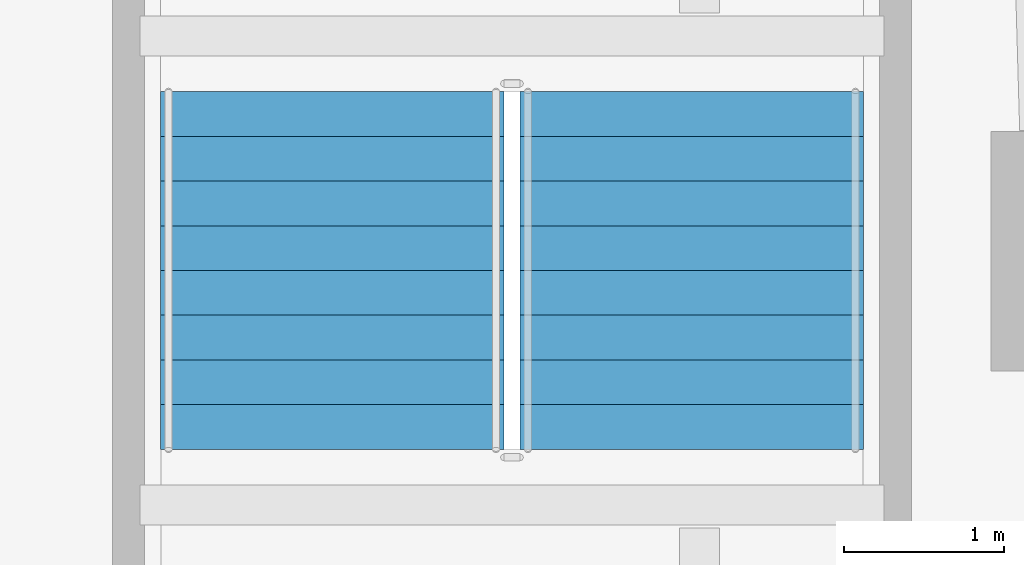
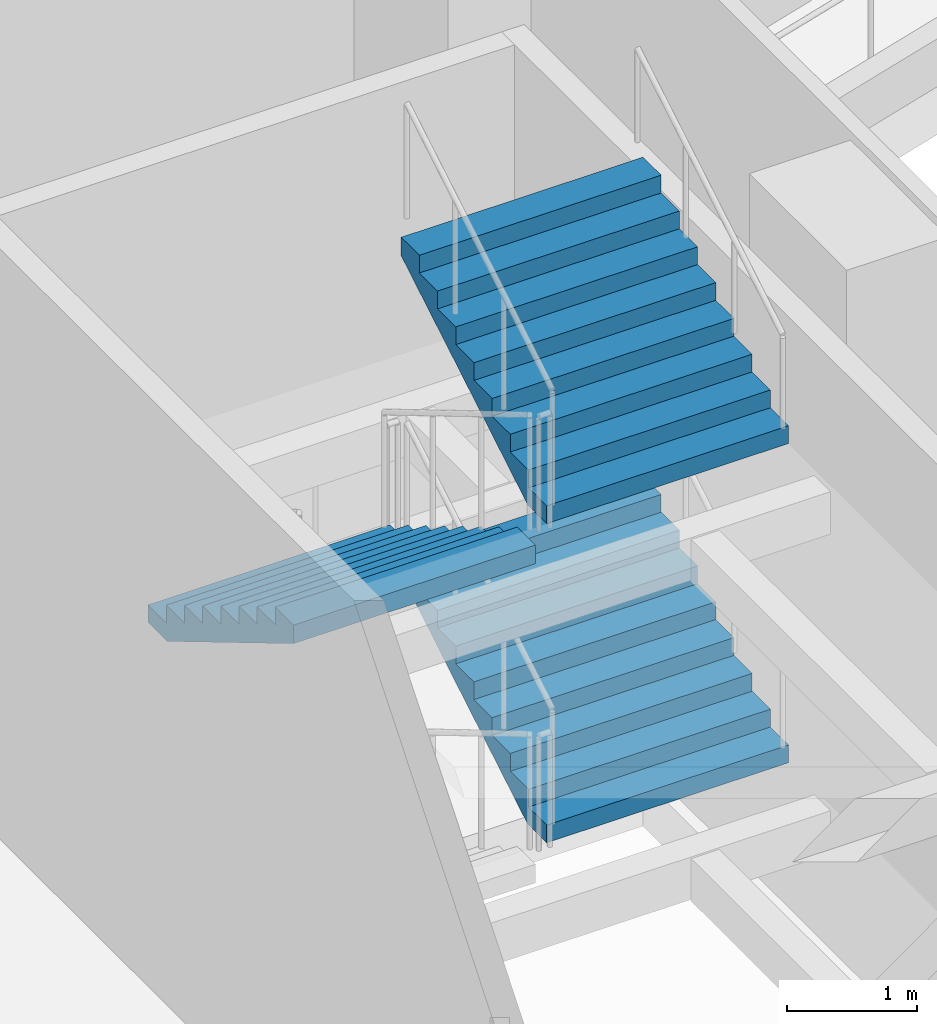
# One storey, part 20 of 29: 3 stair flights, 1 element without a shape of its own.
"""IFC4 building model written with IfcOpenShell, lengths in metres."""

from ifc_helpers import new_model, si_unit, direction, frame, origin, place, context, subcontext, project, spatial, triangles, material, type_object, element, aggregate, save


model = new_model("IFC4")

# Units and contexts
model_context = context("Model", 3, precision=1e-05, world=origin(), true_north=direction((0.0, 1.0)))
body_context = subcontext(model_context, "Body", "Model", "MODEL_VIEW")
ifc_project = project(units=[si_unit("LENGTHUNIT", "METRE"), si_unit("AREAUNIT", "SQUARE_METRE"), si_unit("VOLUMEUNIT", "CUBIC_METRE"), si_unit("PLANEANGLEUNIT", "RADIAN"), si_unit("MASSUNIT", "GRAM", prefix="KILO")], contexts=[model_context])

# Site, building, storey
site_placement = place(None, origin())
site = spatial("IfcSite", under=ifc_project, at=site_placement, CompositionType="ELEMENT")
building_placement = place(site_placement, origin())
building = spatial("IfcBuilding", under=site, at=building_placement, Name="Verdalira Terraces Hotel", CompositionType="ELEMENT")
storey_placement = place(building_placement, frame((0.0, 0.0, 8.0)))
storey = spatial("IfcBuildingStorey", under=building, at=storey_placement, Name="L01", CompositionType="ELEMENT", Elevation=8.0)

# Stair, stair flights
ifc_material_1 = material(Name="Concrete C40", Category="concrete")
stair_type = type_object("IfcStairType", Name="Podium stair 36 risers", PredefinedType="HALF_TURN_STAIR", material=ifc_material_1)
stair_placement = place(storey_placement, origin())
stair = element("IfcStair", 1, at=stair_placement, inside=storey, type_object=stair_type, Name="L01 Exit stair PS4", PredefinedType="HALF_TURN_STAIR")
ifc_material_2 = material(Name="Concrete C40", Category="concrete")
stair_flight_type = type_object("IfcStairFlightType", Name="Podium stair flight 36 risers", PredefinedType="STRAIGHT", material=ifc_material_2)
stair_flight_1_placement = place(storey_placement, frame((21.283447, -1.23999, 1.5), z_axis=(0.0, 0.0, 1.0), x_axis=(0.0, 1.0, 0.0)))
stair_flight_1 = element("IfcStairFlight", 2, at=stair_flight_1_placement, type_object=stair_flight_type, Name="PS4 flight 2", NumberOfRisers=9, NumberOfTreads=8, PredefinedType="STRAIGHT", RiserHeight=0.166666667, TreadLength=0.28, context=body_context, shape_type="Tessellation", body=[
    triangles([(0.0, 1.074951, 0.0), (0.292969, 1.074951, 0.0), (2.23999, 1.074951, 1.158936), (0.0, -1.074951, 0.0), (0.292969, -1.074951, 0.0), (2.23999, -1.074951, 1.158936), (2.23999, 1.074951, 1.333252), (1.959961, 1.074951, 1.333252), (2.23999, -1.074951, 1.333252), (1.959961, -1.074951, 1.333252), (1.959961, 1.074951, 1.166748), (1.959961, -1.074951, 1.166748), (1.679932, 1.074951, 1.166748), (1.679932, -1.074951, 1.166748), (1.679932, 1.074951, 1.0), (1.679932, -1.074951, 1.0), (1.399902, 1.074951, 1.0), (1.399902, 1.074951, 0.833252), (1.399902, -1.074951, 1.0), (1.399902, -1.074951, 0.833252), (1.120117, 1.074951, 0.833252), (1.120117, 1.074951, 0.666748), (1.120117, -1.074951, 0.833252), (1.120117, -1.074951, 0.666748), (0.840088, 1.074951, 0.666748), (0.840088, 1.074951, 0.5), (0.840088, -1.074951, 0.666748), (0.840088, -1.074951, 0.5), (0.560059, 1.074951, 0.5), (0.560059, 1.074951, 0.333252), (0.560059, -1.074951, 0.5), (0.560059, -1.074951, 0.333252), (0.280029, 1.074951, 0.333252), (0.280029, 1.074951, 0.166748), (0.280029, -1.074951, 0.333252), (0.280029, -1.074951, 0.166748), (0.0, 1.074951, 0.166748), (0.0, -1.074951, 0.166748), (0.0, -1.007767, 0.0), (0.0, -1.007767, 0.166748), (0.0, -0.940582, 0.0), (0.0, -0.940582, 0.166748), (0.0, -0.873398, 0.0), (0.0, -0.873398, 0.166748), (0.0, -0.806213, 0.0), (0.0, -0.806213, 0.166748), (0.0, -0.739029, 0.0), (0.0, -0.739029, 0.166748), (0.0, -0.671844, 0.0), (0.0, -0.671844, 0.166748), (0.0, -0.60466, 0.0), (0.0, -0.60466, 0.166748), (0.0, -0.537476, 0.0), (0.0, -0.537476, 0.166748), (0.0, -0.470291, 0.0), (0.0, -0.470291, 0.166748), (0.0, -0.403107, 0.0), (0.0, -0.403107, 0.166748), (0.0, -0.335922, 0.0), (0.0, -0.335922, 0.166748), (0.0, -0.268738, 0.0), (0.0, -0.268738, 0.166748), (0.0, -0.201553, 0.0), (0.0, -0.201553, 0.166748), (0.0, -0.134369, 0.0), (0.0, -0.134369, 0.166748), (0.0, -0.067184, 0.0), (0.0, -0.067184, 0.166748), (0.0, 0.0, 0.0), (0.0, 0.0, 0.166748), (0.0, 0.067184, 0.0), (0.0, 0.067184, 0.166748), (0.0, 0.134369, 0.0), (0.0, 0.134369, 0.166748), (0.0, 0.201553, 0.0), (0.0, 0.201553, 0.166748), (0.0, 0.268738, 0.0), (0.0, 0.268738, 0.166748), (0.0, 0.335922, 0.0), (0.0, 0.335922, 0.166748), (0.0, 0.403107, 0.0), (0.0, 0.403107, 0.166748), (0.0, 0.470291, 0.0), (0.0, 0.470291, 0.166748), (0.0, 0.537476, 0.0), (0.0, 0.537476, 0.166748), (0.0, 0.60466, 0.0), (0.0, 0.60466, 0.166748), (0.0, 0.671844, 0.0), (0.0, 0.671844, 0.166748), (0.0, 0.739029, 0.0), (0.0, 0.739029, 0.166748), (0.0, 0.806213, 0.0), (0.0, 0.806213, 0.166748), (0.0, 0.873398, 0.0), (0.0, 0.873398, 0.166748), (0.0, 0.940582, 0.0), (0.0, 0.940582, 0.166748), (0.0, 1.007767, 0.0), (0.0, 1.007767, 0.166748), (2.23999, -1.007767, 1.333252), (2.23999, -0.940582, 1.333252), (2.23999, -0.873398, 1.333252), (2.23999, -0.806213, 1.333252), (2.23999, -0.739029, 1.333252), (2.23999, -0.671844, 1.333252), (2.23999, -0.60466, 1.333252), (2.23999, -0.537476, 1.333252), (2.23999, -0.470291, 1.333252), (2.23999, -0.403107, 1.333252), (2.23999, -0.335922, 1.333252), (2.23999, -0.268738, 1.333252), (2.23999, -0.201553, 1.333252), (2.23999, -0.134369, 1.333252), (2.23999, -0.067184, 1.333252), (2.23999, 0.0, 1.333252), (2.23999, 0.067184, 1.333252), (2.23999, 0.134369, 1.333252), (2.23999, 0.201553, 1.333252), (2.23999, 0.268738, 1.333252), (2.23999, 0.335922, 1.333252), (2.23999, 0.403107, 1.333252), (2.23999, 0.470291, 1.333252), (2.23999, 0.537476, 1.333252), (2.23999, 0.60466, 1.333252), (2.23999, 0.671844, 1.333252), (2.23999, 0.739029, 1.333252), (2.23999, 0.806213, 1.333252), (2.23999, 0.873398, 1.333252), (2.23999, 0.940582, 1.333252), (2.23999, 1.007767, 1.333252), (2.23999, -1.007767, 1.158936), (2.23999, -0.940582, 1.158936), (2.23999, -0.873398, 1.158936), (2.23999, -0.806213, 1.158936), (2.23999, -0.739029, 1.158936), (2.23999, -0.671844, 1.158936), (2.23999, -0.60466, 1.158936), (2.23999, -0.537476, 1.158936), (2.23999, -0.470291, 1.158936), (2.23999, -0.403107, 1.158936), (2.23999, -0.335922, 1.158936), (2.23999, -0.268738, 1.158936), (2.23999, -0.201553, 1.158936), (2.23999, -0.134369, 1.158936), (2.23999, -0.067184, 1.158936), (2.23999, 0.0, 1.158936), (2.23999, 0.067184, 1.158936), (2.23999, 0.134369, 1.158936), (2.23999, 0.201553, 1.158936), (2.23999, 0.268738, 1.158936), (2.23999, 0.335922, 1.158936), (2.23999, 0.403107, 1.158936), (2.23999, 0.470291, 1.158936), (2.23999, 0.537476, 1.158936), (2.23999, 0.60466, 1.158936), (2.23999, 0.671844, 1.158936), (2.23999, 0.739029, 1.158936), (2.23999, 0.806213, 1.158936), (2.23999, 0.873398, 1.158936), (2.23999, 0.940582, 1.158936), (2.23999, 1.007767, 1.158936)], [[1, 3, 2], [4, 5, 6], [3, 8, 7], [6, 9, 10], [3, 11, 8], [6, 10, 12], [3, 13, 11], [6, 12, 14], [3, 15, 13], [6, 14, 16], [15, 18, 17], [16, 19, 20], [3, 18, 15], [6, 16, 20], [18, 22, 21], [20, 23, 24], [3, 22, 18], [6, 20, 24], [22, 26, 25], [24, 27, 28], [3, 26, 22], [6, 24, 28], [26, 30, 29], [28, 31, 32], [3, 30, 26], [6, 28, 32], [1, 30, 3], [4, 6, 32], [30, 34, 33], [32, 35, 36], [1, 34, 30], [4, 32, 36], [34, 1, 37], [36, 38, 4], [4, 40, 39], [4, 38, 40], [39, 42, 41], [39, 40, 42], [41, 44, 43], [41, 42, 44], [43, 46, 45], [43, 44, 46], [45, 48, 47], [45, 46, 48], [47, 50, 49], [47, 48, 50], [49, 52, 51], [49, 50, 52], [51, 54, 53], [51, 52, 54], [53, 56, 55], [53, 54, 56], [55, 58, 57], [55, 56, 58], [57, 60, 59], [57, 58, 60], [59, 62, 61], [59, 60, 62], [61, 64, 63], [61, 62, 64], [63, 66, 65], [63, 64, 66], [65, 68, 67], [65, 66, 68], [67, 70, 69], [67, 68, 70], [69, 72, 71], [69, 70, 72], [71, 74, 73], [71, 72, 74], [73, 76, 75], [73, 74, 76], [75, 78, 77], [75, 76, 78], [77, 80, 79], [77, 78, 80], [79, 82, 81], [79, 80, 82], [81, 84, 83], [81, 82, 84], [83, 86, 85], [83, 84, 86], [85, 88, 87], [85, 86, 88], [87, 90, 89], [87, 88, 90], [89, 92, 91], [89, 90, 92], [91, 94, 93], [91, 92, 94], [93, 96, 95], [93, 94, 96], [95, 98, 97], [95, 96, 98], [97, 100, 99], [97, 98, 100], [99, 37, 1], [99, 100, 37], [38, 36, 40], [40, 36, 42], [42, 36, 44], [44, 36, 46], [46, 36, 48], [48, 36, 50], [50, 36, 52], [52, 36, 54], [54, 36, 56], [56, 36, 58], [58, 36, 60], [60, 36, 62], [62, 36, 64], [64, 36, 66], [66, 36, 68], [68, 36, 70], [70, 36, 72], [72, 36, 74], [74, 36, 76], [76, 36, 78], [78, 36, 80], [80, 36, 82], [82, 36, 84], [84, 36, 86], [86, 36, 88], [88, 36, 90], [90, 36, 92], [92, 36, 94], [94, 36, 96], [96, 36, 98], [98, 36, 100], [100, 36, 37], [37, 36, 34], [36, 33, 34], [36, 35, 33], [35, 30, 33], [35, 32, 30], [32, 29, 30], [32, 31, 29], [31, 26, 29], [31, 28, 26], [28, 25, 26], [28, 27, 25], [27, 22, 25], [27, 24, 22], [24, 21, 22], [24, 23, 21], [23, 18, 21], [23, 20, 18], [20, 17, 18], [20, 19, 17], [19, 15, 17], [19, 16, 15], [16, 13, 15], [16, 14, 13], [14, 11, 13], [14, 12, 11], [12, 8, 11], [12, 10, 8], [9, 101, 10], [101, 102, 10], [102, 103, 10], [103, 104, 10], [104, 105, 10], [105, 106, 10], [106, 107, 10], [107, 108, 10], [108, 109, 10], [109, 110, 10], [110, 111, 10], [111, 112, 10], [112, 113, 10], [113, 114, 10], [114, 115, 10], [115, 116, 10], [116, 117, 10], [117, 118, 10], [118, 119, 10], [119, 120, 10], [120, 121, 10], [121, 122, 10], [122, 123, 10], [123, 124, 10], [124, 125, 10], [125, 126, 10], [126, 127, 10], [127, 128, 10], [128, 129, 10], [129, 130, 10], [130, 131, 10], [131, 7, 10], [7, 8, 10], [9, 132, 101], [9, 6, 132], [101, 133, 102], [101, 132, 133], [102, 134, 103], [102, 133, 134], [103, 135, 104], [103, 134, 135], [104, 136, 105], [104, 135, 136], [105, 137, 106], [105, 136, 137], [106, 138, 107], [106, 137, 138], [107, 139, 108], [107, 138, 139], [108, 140, 109], [108, 139, 140], [109, 141, 110], [109, 140, 141], [110, 142, 111], [110, 141, 142], [111, 143, 112], [111, 142, 143], [112, 144, 113], [112, 143, 144], [113, 145, 114], [113, 144, 145], [114, 146, 115], [114, 145, 146], [115, 147, 116], [115, 146, 147], [116, 148, 117], [116, 147, 148], [117, 149, 118], [117, 148, 149], [118, 150, 119], [118, 149, 150], [119, 151, 120], [119, 150, 151], [120, 152, 121], [120, 151, 152], [121, 153, 122], [121, 152, 153], [122, 154, 123], [122, 153, 154], [123, 155, 124], [123, 154, 155], [124, 156, 125], [124, 155, 156], [125, 157, 126], [125, 156, 157], [126, 158, 127], [126, 157, 158], [127, 159, 128], [127, 158, 159], [128, 160, 129], [128, 159, 160], [129, 161, 130], [129, 160, 161], [130, 162, 131], [130, 161, 162], [131, 3, 7], [131, 162, 3], [6, 5, 132], [132, 5, 133], [133, 5, 134], [134, 5, 135], [135, 5, 136], [136, 5, 137], [137, 5, 138], [138, 5, 139], [139, 5, 140], [140, 5, 141], [141, 5, 142], [142, 5, 143], [143, 5, 144], [144, 5, 145], [145, 5, 146], [146, 5, 147], [147, 5, 148], [148, 5, 149], [149, 5, 150], [150, 5, 151], [151, 5, 152], [152, 5, 153], [153, 5, 154], [154, 5, 155], [155, 5, 156], [156, 5, 157], [157, 5, 158], [158, 5, 159], [159, 5, 160], [160, 5, 161], [161, 5, 162], [162, 5, 3], [3, 5, 2], [4, 39, 5], [39, 41, 5], [41, 43, 5], [43, 45, 5], [45, 47, 5], [47, 49, 5], [49, 51, 5], [51, 53, 5], [53, 55, 5], [55, 57, 5], [57, 59, 5], [59, 61, 5], [61, 63, 5], [63, 65, 5], [65, 67, 5], [67, 69, 5], [69, 71, 5], [71, 73, 5], [73, 75, 5], [75, 77, 5], [77, 79, 5], [79, 81, 5], [81, 83, 5], [83, 85, 5], [85, 87, 5], [87, 89, 5], [89, 91, 5], [91, 93, 5], [93, 95, 5], [95, 97, 5], [97, 99, 5], [99, 1, 5], [1, 2, 5]], closed=True),
])
stair_flight_2_placement = place(storey_placement, frame((19.033447, 1.0, 3.0), z_axis=(0.0, 0.0, 1.0), x_axis=(0.0, -1.0, 0.0)))
stair_flight_2 = element("IfcStairFlight", 3, at=stair_flight_2_placement, type_object=stair_flight_type, Name="PS4 flight 3", NumberOfRisers=9, NumberOfTreads=8, PredefinedType="STRAIGHT", RiserHeight=0.166666667, TreadLength=0.28, context=body_context, shape_type="Tessellation", body=[
    triangles([(0.0, 1.074951, 0.0), (0.292969, 1.074951, 0.0), (2.23999, 1.074951, 1.158936), (0.0, -1.074951, 0.0), (0.292969, -1.074951, 0.0), (2.23999, -1.074951, 1.158936), (2.23999, 1.074951, 1.333252), (1.959961, 1.074951, 1.333252), (2.23999, -1.074951, 1.333252), (1.959961, -1.074951, 1.333252), (1.959961, 1.074951, 1.166748), (1.959961, -1.074951, 1.166748), (1.679932, 1.074951, 1.166748), (1.679932, -1.074951, 1.166748), (1.679932, 1.074951, 1.0), (1.679932, -1.074951, 1.0), (1.399902, 1.074951, 1.0), (1.399902, 1.074951, 0.833252), (1.399902, -1.074951, 1.0), (1.399902, -1.074951, 0.833252), (1.120117, 1.074951, 0.833252), (1.120117, 1.074951, 0.666748), (1.120117, -1.074951, 0.833252), (1.120117, -1.074951, 0.666748), (0.840088, 1.074951, 0.666748), (0.840088, 1.074951, 0.5), (0.840088, -1.074951, 0.666748), (0.840088, -1.074951, 0.5), (0.560059, 1.074951, 0.5), (0.560059, 1.074951, 0.333252), (0.560059, -1.074951, 0.5), (0.560059, -1.074951, 0.333252), (0.280029, 1.074951, 0.333252), (0.280029, 1.074951, 0.166748), (0.280029, -1.074951, 0.333252), (0.280029, -1.074951, 0.166748), (0.0, 1.074951, 0.166748), (0.0, -1.074951, 0.166748), (0.0, -1.007767, 0.0), (0.0, -1.007767, 0.166748), (0.0, -0.940582, 0.0), (0.0, -0.940582, 0.166748), (0.0, -0.873398, 0.0), (0.0, -0.873398, 0.166748), (0.0, -0.806213, 0.0), (0.0, -0.806213, 0.166748), (0.0, -0.739029, 0.0), (0.0, -0.739029, 0.166748), (0.0, -0.671844, 0.0), (0.0, -0.671844, 0.166748), (0.0, -0.60466, 0.0), (0.0, -0.60466, 0.166748), (0.0, -0.537476, 0.0), (0.0, -0.537476, 0.166748), (0.0, -0.470291, 0.0), (0.0, -0.470291, 0.166748), (0.0, -0.403107, 0.0), (0.0, -0.403107, 0.166748), (0.0, -0.335922, 0.0), (0.0, -0.335922, 0.166748), (0.0, -0.268738, 0.0), (0.0, -0.268738, 0.166748), (0.0, -0.201553, 0.0), (0.0, -0.201553, 0.166748), (0.0, -0.134369, 0.0), (0.0, -0.134369, 0.166748), (0.0, -0.067184, 0.0), (0.0, -0.067184, 0.166748), (0.0, 0.0, 0.0), (0.0, 0.0, 0.166748), (0.0, 0.067184, 0.0), (0.0, 0.067184, 0.166748), (0.0, 0.134369, 0.0), (0.0, 0.134369, 0.166748), (0.0, 0.201553, 0.0), (0.0, 0.201553, 0.166748), (0.0, 0.268738, 0.0), (0.0, 0.268738, 0.166748), (0.0, 0.335922, 0.0), (0.0, 0.335922, 0.166748), (0.0, 0.403107, 0.0), (0.0, 0.403107, 0.166748), (0.0, 0.470291, 0.0), (0.0, 0.470291, 0.166748), (0.0, 0.537476, 0.0), (0.0, 0.537476, 0.166748), (0.0, 0.60466, 0.0), (0.0, 0.60466, 0.166748), (0.0, 0.671844, 0.0), (0.0, 0.671844, 0.166748), (0.0, 0.739029, 0.0), (0.0, 0.739029, 0.166748), (0.0, 0.806213, 0.0), (0.0, 0.806213, 0.166748), (0.0, 0.873398, 0.0), (0.0, 0.873398, 0.166748), (0.0, 0.940582, 0.0), (0.0, 0.940582, 0.166748), (0.0, 1.007767, 0.0), (0.0, 1.007767, 0.166748), (2.23999, -1.007767, 1.333252), (2.23999, -0.940582, 1.333252), (2.23999, -0.873398, 1.333252), (2.23999, -0.806213, 1.333252), (2.23999, -0.739029, 1.333252), (2.23999, -0.671844, 1.333252), (2.23999, -0.60466, 1.333252), (2.23999, -0.537476, 1.333252), (2.23999, -0.470291, 1.333252), (2.23999, -0.403107, 1.333252), (2.23999, -0.335922, 1.333252), (2.23999, -0.268738, 1.333252), (2.23999, -0.201553, 1.333252), (2.23999, -0.134369, 1.333252), (2.23999, -0.067184, 1.333252), (2.23999, 0.0, 1.333252), (2.23999, 0.067184, 1.333252), (2.23999, 0.134369, 1.333252), (2.23999, 0.201553, 1.333252), (2.23999, 0.268738, 1.333252), (2.23999, 0.335922, 1.333252), (2.23999, 0.403107, 1.333252), (2.23999, 0.470291, 1.333252), (2.23999, 0.537476, 1.333252), (2.23999, 0.60466, 1.333252), (2.23999, 0.671844, 1.333252), (2.23999, 0.739029, 1.333252), (2.23999, 0.806213, 1.333252), (2.23999, 0.873398, 1.333252), (2.23999, 0.940582, 1.333252), (2.23999, 1.007767, 1.333252), (2.23999, -1.007767, 1.158936), (2.23999, -0.940582, 1.158936), (2.23999, -0.873398, 1.158936), (2.23999, -0.806213, 1.158936), (2.23999, -0.739029, 1.158936), (2.23999, -0.671844, 1.158936), (2.23999, -0.60466, 1.158936), (2.23999, -0.537476, 1.158936), (2.23999, -0.470291, 1.158936), (2.23999, -0.403107, 1.158936), (2.23999, -0.335922, 1.158936), (2.23999, -0.268738, 1.158936), (2.23999, -0.201553, 1.158936), (2.23999, -0.134369, 1.158936), (2.23999, -0.067184, 1.158936), (2.23999, 0.0, 1.158936), (2.23999, 0.067184, 1.158936), (2.23999, 0.134369, 1.158936), (2.23999, 0.201553, 1.158936), (2.23999, 0.268738, 1.158936), (2.23999, 0.335922, 1.158936), (2.23999, 0.403107, 1.158936), (2.23999, 0.470291, 1.158936), (2.23999, 0.537476, 1.158936), (2.23999, 0.60466, 1.158936), (2.23999, 0.671844, 1.158936), (2.23999, 0.739029, 1.158936), (2.23999, 0.806213, 1.158936), (2.23999, 0.873398, 1.158936), (2.23999, 0.940582, 1.158936), (2.23999, 1.007767, 1.158936)], [[1, 3, 2], [4, 5, 6], [3, 8, 7], [6, 9, 10], [3, 11, 8], [6, 10, 12], [3, 13, 11], [6, 12, 14], [3, 15, 13], [6, 14, 16], [15, 18, 17], [16, 19, 20], [3, 18, 15], [6, 16, 20], [18, 22, 21], [20, 23, 24], [3, 22, 18], [6, 20, 24], [22, 26, 25], [24, 27, 28], [3, 26, 22], [6, 24, 28], [26, 30, 29], [28, 31, 32], [3, 30, 26], [6, 28, 32], [1, 30, 3], [4, 6, 32], [30, 34, 33], [32, 35, 36], [1, 34, 30], [4, 32, 36], [34, 1, 37], [36, 38, 4], [4, 40, 39], [4, 38, 40], [39, 42, 41], [39, 40, 42], [41, 44, 43], [41, 42, 44], [43, 46, 45], [43, 44, 46], [45, 48, 47], [45, 46, 48], [47, 50, 49], [47, 48, 50], [49, 52, 51], [49, 50, 52], [51, 54, 53], [51, 52, 54], [53, 56, 55], [53, 54, 56], [55, 58, 57], [55, 56, 58], [57, 60, 59], [57, 58, 60], [59, 62, 61], [59, 60, 62], [61, 64, 63], [61, 62, 64], [63, 66, 65], [63, 64, 66], [65, 68, 67], [65, 66, 68], [67, 70, 69], [67, 68, 70], [69, 72, 71], [69, 70, 72], [71, 74, 73], [71, 72, 74], [73, 76, 75], [73, 74, 76], [75, 78, 77], [75, 76, 78], [77, 80, 79], [77, 78, 80], [79, 82, 81], [79, 80, 82], [81, 84, 83], [81, 82, 84], [83, 86, 85], [83, 84, 86], [85, 88, 87], [85, 86, 88], [87, 90, 89], [87, 88, 90], [89, 92, 91], [89, 90, 92], [91, 94, 93], [91, 92, 94], [93, 96, 95], [93, 94, 96], [95, 98, 97], [95, 96, 98], [97, 100, 99], [97, 98, 100], [99, 37, 1], [99, 100, 37], [38, 36, 40], [40, 36, 42], [42, 36, 44], [44, 36, 46], [46, 36, 48], [48, 36, 50], [50, 36, 52], [52, 36, 54], [54, 36, 56], [56, 36, 58], [58, 36, 60], [60, 36, 62], [62, 36, 64], [64, 36, 66], [66, 36, 68], [68, 36, 70], [70, 36, 72], [72, 36, 74], [74, 36, 76], [76, 36, 78], [78, 36, 80], [80, 36, 82], [82, 36, 84], [84, 36, 86], [86, 36, 88], [88, 36, 90], [90, 36, 92], [92, 36, 94], [94, 36, 96], [96, 36, 98], [98, 36, 100], [100, 36, 37], [37, 36, 34], [36, 33, 34], [36, 35, 33], [35, 30, 33], [35, 32, 30], [32, 29, 30], [32, 31, 29], [31, 26, 29], [31, 28, 26], [28, 25, 26], [28, 27, 25], [27, 22, 25], [27, 24, 22], [24, 21, 22], [24, 23, 21], [23, 18, 21], [23, 20, 18], [20, 17, 18], [20, 19, 17], [19, 15, 17], [19, 16, 15], [16, 13, 15], [16, 14, 13], [14, 11, 13], [14, 12, 11], [12, 8, 11], [12, 10, 8], [9, 101, 10], [101, 102, 10], [102, 103, 10], [103, 104, 10], [104, 105, 10], [105, 106, 10], [106, 107, 10], [107, 108, 10], [108, 109, 10], [109, 110, 10], [110, 111, 10], [111, 112, 10], [112, 113, 10], [113, 114, 10], [114, 115, 10], [115, 116, 10], [116, 117, 10], [117, 118, 10], [118, 119, 10], [119, 120, 10], [120, 121, 10], [121, 122, 10], [122, 123, 10], [123, 124, 10], [124, 125, 10], [125, 126, 10], [126, 127, 10], [127, 128, 10], [128, 129, 10], [129, 130, 10], [130, 131, 10], [131, 7, 10], [7, 8, 10], [9, 132, 101], [9, 6, 132], [101, 133, 102], [101, 132, 133], [102, 134, 103], [102, 133, 134], [103, 135, 104], [103, 134, 135], [104, 136, 105], [104, 135, 136], [105, 137, 106], [105, 136, 137], [106, 138, 107], [106, 137, 138], [107, 139, 108], [107, 138, 139], [108, 140, 109], [108, 139, 140], [109, 141, 110], [109, 140, 141], [110, 142, 111], [110, 141, 142], [111, 143, 112], [111, 142, 143], [112, 144, 113], [112, 143, 144], [113, 145, 114], [113, 144, 145], [114, 146, 115], [114, 145, 146], [115, 147, 116], [115, 146, 147], [116, 148, 117], [116, 147, 148], [117, 149, 118], [117, 148, 149], [118, 150, 119], [118, 149, 150], [119, 151, 120], [119, 150, 151], [120, 152, 121], [120, 151, 152], [121, 153, 122], [121, 152, 153], [122, 154, 123], [122, 153, 154], [123, 155, 124], [123, 154, 155], [124, 156, 125], [124, 155, 156], [125, 157, 126], [125, 156, 157], [126, 158, 127], [126, 157, 158], [127, 159, 128], [127, 158, 159], [128, 160, 129], [128, 159, 160], [129, 161, 130], [129, 160, 161], [130, 162, 131], [130, 161, 162], [131, 3, 7], [131, 162, 3], [6, 5, 132], [132, 5, 133], [133, 5, 134], [134, 5, 135], [135, 5, 136], [136, 5, 137], [137, 5, 138], [138, 5, 139], [139, 5, 140], [140, 5, 141], [141, 5, 142], [142, 5, 143], [143, 5, 144], [144, 5, 145], [145, 5, 146], [146, 5, 147], [147, 5, 148], [148, 5, 149], [149, 5, 150], [150, 5, 151], [151, 5, 152], [152, 5, 153], [153, 5, 154], [154, 5, 155], [155, 5, 156], [156, 5, 157], [157, 5, 158], [158, 5, 159], [159, 5, 160], [160, 5, 161], [161, 5, 162], [162, 5, 3], [3, 5, 2], [4, 39, 5], [39, 41, 5], [41, 43, 5], [43, 45, 5], [45, 47, 5], [47, 49, 5], [49, 51, 5], [51, 53, 5], [53, 55, 5], [55, 57, 5], [57, 59, 5], [59, 61, 5], [61, 63, 5], [63, 65, 5], [65, 67, 5], [67, 69, 5], [69, 71, 5], [71, 73, 5], [73, 75, 5], [75, 77, 5], [77, 79, 5], [79, 81, 5], [81, 83, 5], [83, 85, 5], [85, 87, 5], [87, 89, 5], [89, 91, 5], [91, 93, 5], [93, 95, 5], [95, 97, 5], [97, 99, 5], [99, 1, 5], [1, 2, 5]], closed=True),
])
stair_flight_3_placement = place(storey_placement, frame((21.283447, -1.23999, 4.5), z_axis=(0.0, 0.0, 1.0), x_axis=(0.0, 1.0, 0.0)))
stair_flight_3 = element("IfcStairFlight", 4, at=stair_flight_3_placement, type_object=stair_flight_type, Name="PS4 flight 4", NumberOfRisers=9, NumberOfTreads=8, PredefinedType="STRAIGHT", RiserHeight=0.166666667, TreadLength=0.28, context=body_context, shape_type="Tessellation", body=[
    triangles([(0.0, 1.074951, 0.0), (0.292969, 1.074951, 0.0), (2.23999, 1.074951, 1.158936), (0.0, -1.074951, 0.0), (0.292969, -1.074951, 0.0), (2.23999, -1.074951, 1.158936), (2.23999, 1.074951, 1.333252), (1.959961, 1.074951, 1.333252), (2.23999, -1.074951, 1.333252), (1.959961, -1.074951, 1.333252), (1.959961, 1.074951, 1.166748), (1.959961, -1.074951, 1.166748), (1.679932, 1.074951, 1.166748), (1.679932, -1.074951, 1.166748), (1.679932, 1.074951, 1.0), (1.679932, -1.074951, 1.0), (1.399902, 1.074951, 1.0), (1.399902, 1.074951, 0.833252), (1.399902, -1.074951, 1.0), (1.399902, -1.074951, 0.833252), (1.120117, 1.074951, 0.833252), (1.120117, 1.074951, 0.666748), (1.120117, -1.074951, 0.833252), (1.120117, -1.074951, 0.666748), (0.840088, 1.074951, 0.666748), (0.840088, 1.074951, 0.5), (0.840088, -1.074951, 0.666748), (0.840088, -1.074951, 0.5), (0.560059, 1.074951, 0.5), (0.560059, 1.074951, 0.333252), (0.560059, -1.074951, 0.5), (0.560059, -1.074951, 0.333252), (0.280029, 1.074951, 0.333252), (0.280029, 1.074951, 0.166748), (0.280029, -1.074951, 0.333252), (0.280029, -1.074951, 0.166748), (0.0, 1.074951, 0.166748), (0.0, -1.074951, 0.166748), (0.0, -1.007767, 0.0), (0.0, -1.007767, 0.166748), (0.0, -0.940582, 0.0), (0.0, -0.940582, 0.166748), (0.0, -0.873398, 0.0), (0.0, -0.873398, 0.166748), (0.0, -0.806213, 0.0), (0.0, -0.806213, 0.166748), (0.0, -0.739029, 0.0), (0.0, -0.739029, 0.166748), (0.0, -0.671844, 0.0), (0.0, -0.671844, 0.166748), (0.0, -0.60466, 0.0), (0.0, -0.60466, 0.166748), (0.0, -0.537476, 0.0), (0.0, -0.537476, 0.166748), (0.0, -0.470291, 0.0), (0.0, -0.470291, 0.166748), (0.0, -0.403107, 0.0), (0.0, -0.403107, 0.166748), (0.0, -0.335922, 0.0), (0.0, -0.335922, 0.166748), (0.0, -0.268738, 0.0), (0.0, -0.268738, 0.166748), (0.0, -0.201553, 0.0), (0.0, -0.201553, 0.166748), (0.0, -0.134369, 0.0), (0.0, -0.134369, 0.166748), (0.0, -0.067184, 0.0), (0.0, -0.067184, 0.166748), (0.0, 0.0, 0.0), (0.0, 0.0, 0.166748), (0.0, 0.067184, 0.0), (0.0, 0.067184, 0.166748), (0.0, 0.134369, 0.0), (0.0, 0.134369, 0.166748), (0.0, 0.201553, 0.0), (0.0, 0.201553, 0.166748), (0.0, 0.268738, 0.0), (0.0, 0.268738, 0.166748), (0.0, 0.335922, 0.0), (0.0, 0.335922, 0.166748), (0.0, 0.403107, 0.0), (0.0, 0.403107, 0.166748), (0.0, 0.470291, 0.0), (0.0, 0.470291, 0.166748), (0.0, 0.537476, 0.0), (0.0, 0.537476, 0.166748), (0.0, 0.60466, 0.0), (0.0, 0.60466, 0.166748), (0.0, 0.671844, 0.0), (0.0, 0.671844, 0.166748), (0.0, 0.739029, 0.0), (0.0, 0.739029, 0.166748), (0.0, 0.806213, 0.0), (0.0, 0.806213, 0.166748), (0.0, 0.873398, 0.0), (0.0, 0.873398, 0.166748), (0.0, 0.940582, 0.0), (0.0, 0.940582, 0.166748), (0.0, 1.007767, 0.0), (0.0, 1.007767, 0.166748), (2.23999, -1.007767, 1.333252), (2.23999, -0.940582, 1.333252), (2.23999, -0.873398, 1.333252), (2.23999, -0.806213, 1.333252), (2.23999, -0.739029, 1.333252), (2.23999, -0.671844, 1.333252), (2.23999, -0.60466, 1.333252), (2.23999, -0.537476, 1.333252), (2.23999, -0.470291, 1.333252), (2.23999, -0.403107, 1.333252), (2.23999, -0.335922, 1.333252), (2.23999, -0.268738, 1.333252), (2.23999, -0.201553, 1.333252), (2.23999, -0.134369, 1.333252), (2.23999, -0.067184, 1.333252), (2.23999, 0.0, 1.333252), (2.23999, 0.067184, 1.333252), (2.23999, 0.134369, 1.333252), (2.23999, 0.201553, 1.333252), (2.23999, 0.268738, 1.333252), (2.23999, 0.335922, 1.333252), (2.23999, 0.403107, 1.333252), (2.23999, 0.470291, 1.333252), (2.23999, 0.537476, 1.333252), (2.23999, 0.60466, 1.333252), (2.23999, 0.671844, 1.333252), (2.23999, 0.739029, 1.333252), (2.23999, 0.806213, 1.333252), (2.23999, 0.873398, 1.333252), (2.23999, 0.940582, 1.333252), (2.23999, 1.007767, 1.333252), (2.23999, -1.007767, 1.158936), (2.23999, -0.940582, 1.158936), (2.23999, -0.873398, 1.158936), (2.23999, -0.806213, 1.158936), (2.23999, -0.739029, 1.158936), (2.23999, -0.671844, 1.158936), (2.23999, -0.60466, 1.158936), (2.23999, -0.537476, 1.158936), (2.23999, -0.470291, 1.158936), (2.23999, -0.403107, 1.158936), (2.23999, -0.335922, 1.158936), (2.23999, -0.268738, 1.158936), (2.23999, -0.201553, 1.158936), (2.23999, -0.134369, 1.158936), (2.23999, -0.067184, 1.158936), (2.23999, 0.0, 1.158936), (2.23999, 0.067184, 1.158936), (2.23999, 0.134369, 1.158936), (2.23999, 0.201553, 1.158936), (2.23999, 0.268738, 1.158936), (2.23999, 0.335922, 1.158936), (2.23999, 0.403107, 1.158936), (2.23999, 0.470291, 1.158936), (2.23999, 0.537476, 1.158936), (2.23999, 0.60466, 1.158936), (2.23999, 0.671844, 1.158936), (2.23999, 0.739029, 1.158936), (2.23999, 0.806213, 1.158936), (2.23999, 0.873398, 1.158936), (2.23999, 0.940582, 1.158936), (2.23999, 1.007767, 1.158936)], [[1, 3, 2], [4, 5, 6], [3, 8, 7], [6, 9, 10], [3, 11, 8], [6, 10, 12], [3, 13, 11], [6, 12, 14], [3, 15, 13], [6, 14, 16], [15, 18, 17], [16, 19, 20], [3, 18, 15], [6, 16, 20], [18, 22, 21], [20, 23, 24], [3, 22, 18], [6, 20, 24], [22, 26, 25], [24, 27, 28], [3, 26, 22], [6, 24, 28], [26, 30, 29], [28, 31, 32], [3, 30, 26], [6, 28, 32], [1, 30, 3], [4, 6, 32], [30, 34, 33], [32, 35, 36], [1, 34, 30], [4, 32, 36], [34, 1, 37], [36, 38, 4], [4, 40, 39], [4, 38, 40], [39, 42, 41], [39, 40, 42], [41, 44, 43], [41, 42, 44], [43, 46, 45], [43, 44, 46], [45, 48, 47], [45, 46, 48], [47, 50, 49], [47, 48, 50], [49, 52, 51], [49, 50, 52], [51, 54, 53], [51, 52, 54], [53, 56, 55], [53, 54, 56], [55, 58, 57], [55, 56, 58], [57, 60, 59], [57, 58, 60], [59, 62, 61], [59, 60, 62], [61, 64, 63], [61, 62, 64], [63, 66, 65], [63, 64, 66], [65, 68, 67], [65, 66, 68], [67, 70, 69], [67, 68, 70], [69, 72, 71], [69, 70, 72], [71, 74, 73], [71, 72, 74], [73, 76, 75], [73, 74, 76], [75, 78, 77], [75, 76, 78], [77, 80, 79], [77, 78, 80], [79, 82, 81], [79, 80, 82], [81, 84, 83], [81, 82, 84], [83, 86, 85], [83, 84, 86], [85, 88, 87], [85, 86, 88], [87, 90, 89], [87, 88, 90], [89, 92, 91], [89, 90, 92], [91, 94, 93], [91, 92, 94], [93, 96, 95], [93, 94, 96], [95, 98, 97], [95, 96, 98], [97, 100, 99], [97, 98, 100], [99, 37, 1], [99, 100, 37], [38, 36, 40], [40, 36, 42], [42, 36, 44], [44, 36, 46], [46, 36, 48], [48, 36, 50], [50, 36, 52], [52, 36, 54], [54, 36, 56], [56, 36, 58], [58, 36, 60], [60, 36, 62], [62, 36, 64], [64, 36, 66], [66, 36, 68], [68, 36, 70], [70, 36, 72], [72, 36, 74], [74, 36, 76], [76, 36, 78], [78, 36, 80], [80, 36, 82], [82, 36, 84], [84, 36, 86], [86, 36, 88], [88, 36, 90], [90, 36, 92], [92, 36, 94], [94, 36, 96], [96, 36, 98], [98, 36, 100], [100, 36, 37], [37, 36, 34], [36, 33, 34], [36, 35, 33], [35, 30, 33], [35, 32, 30], [32, 29, 30], [32, 31, 29], [31, 26, 29], [31, 28, 26], [28, 25, 26], [28, 27, 25], [27, 22, 25], [27, 24, 22], [24, 21, 22], [24, 23, 21], [23, 18, 21], [23, 20, 18], [20, 17, 18], [20, 19, 17], [19, 15, 17], [19, 16, 15], [16, 13, 15], [16, 14, 13], [14, 11, 13], [14, 12, 11], [12, 8, 11], [12, 10, 8], [9, 101, 10], [101, 102, 10], [102, 103, 10], [103, 104, 10], [104, 105, 10], [105, 106, 10], [106, 107, 10], [107, 108, 10], [108, 109, 10], [109, 110, 10], [110, 111, 10], [111, 112, 10], [112, 113, 10], [113, 114, 10], [114, 115, 10], [115, 116, 10], [116, 117, 10], [117, 118, 10], [118, 119, 10], [119, 120, 10], [120, 121, 10], [121, 122, 10], [122, 123, 10], [123, 124, 10], [124, 125, 10], [125, 126, 10], [126, 127, 10], [127, 128, 10], [128, 129, 10], [129, 130, 10], [130, 131, 10], [131, 7, 10], [7, 8, 10], [9, 132, 101], [9, 6, 132], [101, 133, 102], [101, 132, 133], [102, 134, 103], [102, 133, 134], [103, 135, 104], [103, 134, 135], [104, 136, 105], [104, 135, 136], [105, 137, 106], [105, 136, 137], [106, 138, 107], [106, 137, 138], [107, 139, 108], [107, 138, 139], [108, 140, 109], [108, 139, 140], [109, 141, 110], [109, 140, 141], [110, 142, 111], [110, 141, 142], [111, 143, 112], [111, 142, 143], [112, 144, 113], [112, 143, 144], [113, 145, 114], [113, 144, 145], [114, 146, 115], [114, 145, 146], [115, 147, 116], [115, 146, 147], [116, 148, 117], [116, 147, 148], [117, 149, 118], [117, 148, 149], [118, 150, 119], [118, 149, 150], [119, 151, 120], [119, 150, 151], [120, 152, 121], [120, 151, 152], [121, 153, 122], [121, 152, 153], [122, 154, 123], [122, 153, 154], [123, 155, 124], [123, 154, 155], [124, 156, 125], [124, 155, 156], [125, 157, 126], [125, 156, 157], [126, 158, 127], [126, 157, 158], [127, 159, 128], [127, 158, 159], [128, 160, 129], [128, 159, 160], [129, 161, 130], [129, 160, 161], [130, 162, 131], [130, 161, 162], [131, 3, 7], [131, 162, 3], [6, 5, 132], [132, 5, 133], [133, 5, 134], [134, 5, 135], [135, 5, 136], [136, 5, 137], [137, 5, 138], [138, 5, 139], [139, 5, 140], [140, 5, 141], [141, 5, 142], [142, 5, 143], [143, 5, 144], [144, 5, 145], [145, 5, 146], [146, 5, 147], [147, 5, 148], [148, 5, 149], [149, 5, 150], [150, 5, 151], [151, 5, 152], [152, 5, 153], [153, 5, 154], [154, 5, 155], [155, 5, 156], [156, 5, 157], [157, 5, 158], [158, 5, 159], [159, 5, 160], [160, 5, 161], [161, 5, 162], [162, 5, 3], [3, 5, 2], [4, 39, 5], [39, 41, 5], [41, 43, 5], [43, 45, 5], [45, 47, 5], [47, 49, 5], [49, 51, 5], [51, 53, 5], [53, 55, 5], [55, 57, 5], [57, 59, 5], [59, 61, 5], [61, 63, 5], [63, 65, 5], [65, 67, 5], [67, 69, 5], [69, 71, 5], [71, 73, 5], [73, 75, 5], [75, 77, 5], [77, 79, 5], [79, 81, 5], [81, 83, 5], [83, 85, 5], [85, 87, 5], [87, 89, 5], [89, 91, 5], [91, 93, 5], [93, 95, 5], [95, 97, 5], [97, 99, 5], [99, 1, 5], [1, 2, 5]], closed=True),
])
aggregate(stair, [stair_flight_1, stair_flight_2, stair_flight_3])

save(model, "model.ifc")
